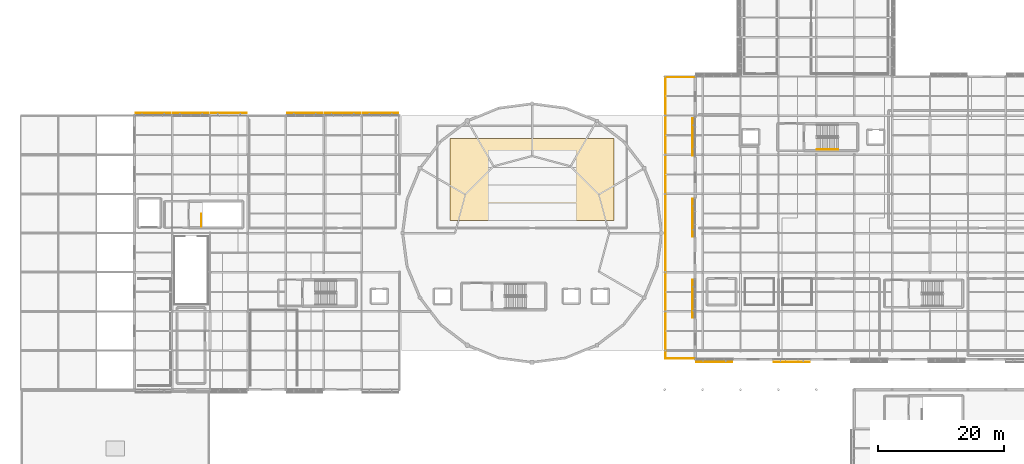
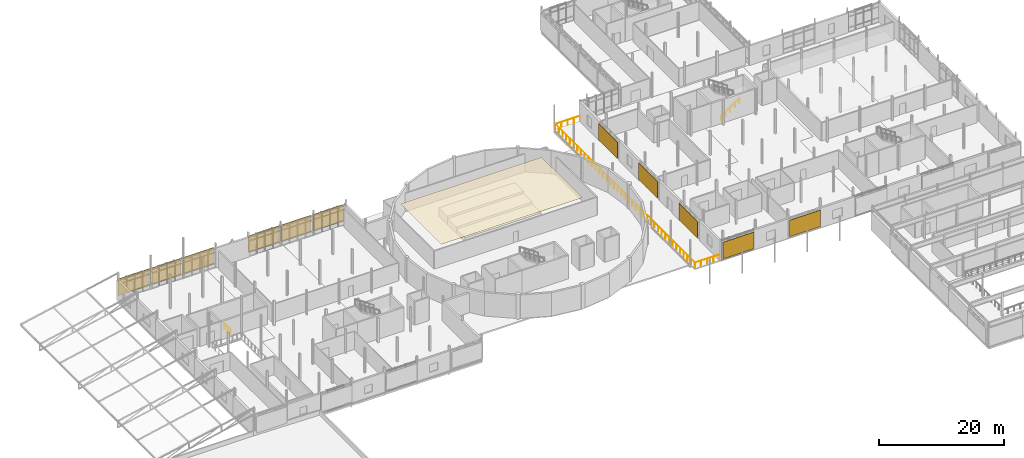
# One storey, part 78 of 84: 11 shading devices, 3 railings, 1 covering.
"""IFC4 building model written with IfcOpenShell, lengths in metres."""

from ifc_helpers import new_model, si_unit, direction, frame, origin, origin_2d, place, context, subcontext, project, spatial, polyline, rectangle, circle, outline, extrude, material, layer, layer_set, type_object, element, save


model = new_model("IFC4")

# Units and contexts
model_context = context("Model", 3, precision=1e-05, world=origin(), true_north=direction((0.0, 1.0)))
body_context = subcontext(model_context, "Body", "Model", "MODEL_VIEW")
ifc_project = project(units=[si_unit("LENGTHUNIT", "METRE"), si_unit("AREAUNIT", "SQUARE_METRE"), si_unit("VOLUMEUNIT", "CUBIC_METRE"), si_unit("PLANEANGLEUNIT", "RADIAN"), si_unit("MASSUNIT", "GRAM", prefix="KILO")], contexts=[model_context])

# Site, building, storey
site_placement = place(None, origin())
site = spatial("IfcSite", under=ifc_project, at=site_placement, CompositionType="ELEMENT")
building_placement = place(site_placement, origin())
building = spatial("IfcBuilding", under=site, at=building_placement, Name="Mirzam Square Science Centre", CompositionType="ELEMENT")
storey_placement = place(building_placement, frame((0.0, 0.0, 10.800048828125)))
storey = spatial("IfcBuildingStorey", under=building, at=storey_placement, Name="L02", CompositionType="ELEMENT", Elevation=10.800048828125)

# Covering
ifc_material_1 = material(Name="Perforated Mineral-Wool Acoustic Ceiling", Category="gypsum")
ifc_layer_1 = layer(ifc_material_1, 0.0400390625)
ifc_layer_set_1 = layer_set([ifc_layer_1], Name="COV-ACOUST-CEIL")
covering_type = type_object("IfcCoveringType", Name="COV-ACOUST-CEIL", PredefinedType="CEILING", material=ifc_layer_set_1)
covering_placement = place(storey_placement, frame((0.0, 0.0, 3.31005859375)))
element("IfcCovering", 1, at=covering_placement, inside=storey, type_object=covering_type, Name="L02 acoustic ceiling 04", PredefinedType="CEILING", context=body_context, shape_type="SweptSolid", body=[
    extrude(outline(polyline([(68.0, 64.0), (94.0, 64.0), (94.0, 77.0), (68.0, 77.0), (68.0, 64.0)])), origin(), (0.0, 0.0, 1.0), 0.039794921875),
])

# Railings
ifc_material_2 = material(Name="Bronze-Anodised Architectural Balustrade", Category="aluminium")
railing_type_1 = type_object("IfcRailingType", Name="RL-INT-GUARD-1100", PredefinedType="GUARDRAIL", material=ifc_material_2)
railing_1_placement = place(storey_placement, frame((28.6201171875, 63.0, 0.0)))
element("IfcRailing", 2, at=railing_1_placement, inside=storey, type_object=railing_type_1, Name="L02 ST-02 top well guard 1", PredefinedType="GUARDRAIL", context=body_context, shape_type="SweptSolid", body=[
    extrude(circle(Radius=0.02392578125, at=origin_2d()), frame((0.0, 0.0, 1.076171875), z_axis=(0.0, 1.0, 0.0), x_axis=(-1.0, 0.0, 0.0)), (0.0, 0.0, 1.0), 2.02001953125),
    extrude(circle(Radius=0.02099609375, at=origin_2d()), origin(), (0.0, 0.0, 1.0), 1.052001953125),
    extrude(circle(Radius=0.02099609375, at=origin_2d()), frame((0.0, 1.010009765625, 0.0)), (0.0, 0.0, 1.0), 1.052001953125),
    extrude(circle(Radius=0.02099609375, at=origin_2d()), frame((0.0, 2.02001953125, 0.0)), (0.0, 0.0, 1.0), 1.052001953125),
])
ifc_material_3 = material(Name="Brushed Bronze Tubular Handrail", Category="aluminium")
railing_type_2 = type_object("IfcRailingType", Name="RL-STAIR-HANDRAIL-900", PredefinedType="HANDRAIL", material=ifc_material_3)
railing_2_placement = place(storey_placement, frame((126.110107421875, 75.25, 0.381103515625)))
element("IfcRailing", 3, at=railing_2_placement, inside=storey, type_object=railing_type_2, Name="L02 ST-04 stair handrail 1", PredefinedType="HANDRAIL", context=body_context, shape_type="SweptSolid", body=[
    extrude(circle(Radius=0.02392578125, at=origin_2d()), frame((0.0, 0.0, 0.8759765625), z_axis=(0.83483021737, 0.0, 0.550507500554), x_axis=(0.0, 1.0, 0.0)), (0.0, 0.0, 1.0), 4.024658203125),
    extrude(circle(Radius=0.02099609375, at=origin_2d()), origin(), (0.0, 0.0, 1.0), 0.851806640625),
    extrude(circle(Radius=0.02099609375, at=origin_2d()), frame((0.83984375, 0.0, 0.553955078125)), (0.0, 0.0, 1.0), 0.851806640625),
    extrude(circle(Radius=0.02099609375, at=origin_2d()), frame((1.679931640625, 0.0, 1.10791015625)), (0.0, 0.0, 1.0), 0.851806640625),
    extrude(circle(Radius=0.02099609375, at=origin_2d()), frame((2.52001953125, 0.0, 1.66162109375)), (0.0, 0.0, 1.0), 0.851806640625),
    extrude(circle(Radius=0.02099609375, at=origin_2d()), frame((3.35986328125, 0.0, 2.215576171875)), (0.0, 0.0, 1.0), 0.851806640625),
])
railing_type_3 = type_object("IfcRailingType", Name="RL-TERR-GUARD-1100", PredefinedType="GUARDRAIL", material=ifc_material_2)
railing_3_placement = place(storey_placement, frame((106.719970703125, 42.1201171875, 0.0)))
element("IfcRailing", 4, at=railing_3_placement, inside=storey, type_object=railing_type_3, Name="L02 west courtyard terrace guard", PredefinedType="GUARDRAIL", context=body_context, shape_type="SweptSolid", body=[
    extrude(circle(Radius=0.02392578125, at=origin_2d()), frame((0.0, 0.0, 1.09619140625), z_axis=(-1.0, 0.0, 0.0), x_axis=(0.0, -1.0, 0.0)), (0.0, 0.0, 1.0), 4.599853515625),
    extrude(circle(Radius=0.02392578125, at=origin_2d()), frame((-4.599853515625, 0.0, 1.09619140625), z_axis=(0.0, 1.0, 0.0), x_axis=(-1.0, 0.0, 0.0)), (0.0, 0.0, 1.0), 44.559814453125),
    extrude(circle(Radius=0.02392578125, at=origin_2d()), frame((-4.599853515625, 44.559814453125, 1.09619140625), z_axis=(1.0, 0.0, 0.0), x_axis=(0.0, 1.0, 0.0)), (0.0, 0.0, 1.0), 4.599853515625),
    extrude(circle(Radius=0.02099609375, at=origin_2d()), origin(), (0.0, 0.0, 1.0), 1.072021484375),
    extrude(circle(Radius=0.02099609375, at=origin_2d()), frame((-1.14990234375, 0.0, 0.0)), (0.0, 0.0, 1.0), 1.072021484375),
    extrude(circle(Radius=0.02099609375, at=origin_2d()), frame((-2.2998046875, 0.0, 0.0)), (0.0, 0.0, 1.0), 1.072021484375),
    extrude(circle(Radius=0.02099609375, at=origin_2d()), frame((-3.449951171875, 0.0, 0.0)), (0.0, 0.0, 1.0), 1.072021484375),
    extrude(circle(Radius=0.02099609375, at=origin_2d()), frame((-4.599853515625, 0.0, 0.0)), (0.0, 0.0, 1.0), 1.072021484375),
    extrude(circle(Radius=0.02099609375, at=origin_2d()), frame((-4.599853515625, 1.172607421875, 0.0)), (0.0, 0.0, 1.0), 1.072021484375),
    extrude(circle(Radius=0.02099609375, at=origin_2d()), frame((-4.599853515625, 2.34521484375, 0.0)), (0.0, 0.0, 1.0), 1.072021484375),
    extrude(circle(Radius=0.02099609375, at=origin_2d()), frame((-4.599853515625, 3.517822265625, 0.0)), (0.0, 0.0, 1.0), 1.072021484375),
    extrude(circle(Radius=0.02099609375, at=origin_2d()), frame((-4.599853515625, 4.6904296875, 0.0)), (0.0, 0.0, 1.0), 1.072021484375),
    extrude(circle(Radius=0.02099609375, at=origin_2d()), frame((-4.599853515625, 5.863037109375, 0.0)), (0.0, 0.0, 1.0), 1.072021484375),
    extrude(circle(Radius=0.02099609375, at=origin_2d()), frame((-4.599853515625, 7.03564453125, 0.0)), (0.0, 0.0, 1.0), 1.072021484375),
    extrude(circle(Radius=0.02099609375, at=origin_2d()), frame((-4.599853515625, 8.20849609375, 0.0)), (0.0, 0.0, 1.0), 1.072021484375),
    extrude(circle(Radius=0.02099609375, at=origin_2d()), frame((-4.599853515625, 9.381103515625, 0.0)), (0.0, 0.0, 1.0), 1.072021484375),
    extrude(circle(Radius=0.02099609375, at=origin_2d()), frame((-4.599853515625, 10.5537109375, 0.0)), (0.0, 0.0, 1.0), 1.072021484375),
    extrude(circle(Radius=0.02099609375, at=origin_2d()), frame((-4.599853515625, 11.726318359375, 0.0)), (0.0, 0.0, 1.0), 1.072021484375),
    extrude(circle(Radius=0.02099609375, at=origin_2d()), frame((-4.599853515625, 12.89892578125, 0.0)), (0.0, 0.0, 1.0), 1.072021484375),
    extrude(circle(Radius=0.02099609375, at=origin_2d()), frame((-4.599853515625, 14.071533203125, 0.0)), (0.0, 0.0, 1.0), 1.072021484375),
    extrude(circle(Radius=0.02099609375, at=origin_2d()), frame((-4.599853515625, 15.244140625, 0.0)), (0.0, 0.0, 1.0), 1.072021484375),
    extrude(circle(Radius=0.02099609375, at=origin_2d()), frame((-4.599853515625, 16.416748046875, 0.0)), (0.0, 0.0, 1.0), 1.072021484375),
    extrude(circle(Radius=0.02099609375, at=origin_2d()), frame((-4.599853515625, 17.58935546875, 0.0)), (0.0, 0.0, 1.0), 1.072021484375),
    extrude(circle(Radius=0.02099609375, at=origin_2d()), frame((-4.599853515625, 18.761962890625, 0.0)), (0.0, 0.0, 1.0), 1.072021484375),
    extrude(circle(Radius=0.02099609375, at=origin_2d()), frame((-4.599853515625, 19.9345703125, 0.0)), (0.0, 0.0, 1.0), 1.072021484375),
    extrude(circle(Radius=0.02099609375, at=origin_2d()), frame((-4.599853515625, 21.107177734375, 0.0)), (0.0, 0.0, 1.0), 1.072021484375),
    extrude(circle(Radius=0.02099609375, at=origin_2d()), frame((-4.599853515625, 22.27978515625, 0.0)), (0.0, 0.0, 1.0), 1.072021484375),
    extrude(circle(Radius=0.02099609375, at=origin_2d()), frame((-4.599853515625, 23.45263671875, 0.0)), (0.0, 0.0, 1.0), 1.072021484375),
    extrude(circle(Radius=0.02099609375, at=origin_2d()), frame((-4.599853515625, 24.625244140625, 0.0)), (0.0, 0.0, 1.0), 1.072021484375),
    extrude(circle(Radius=0.02099609375, at=origin_2d()), frame((-4.599853515625, 25.7978515625, 0.0)), (0.0, 0.0, 1.0), 1.072021484375),
    extrude(circle(Radius=0.02099609375, at=origin_2d()), frame((-4.599853515625, 26.970458984375, 0.0)), (0.0, 0.0, 1.0), 1.072021484375),
    extrude(circle(Radius=0.02099609375, at=origin_2d()), frame((-4.599853515625, 28.14306640625, 0.0)), (0.0, 0.0, 1.0), 1.072021484375),
    extrude(circle(Radius=0.02099609375, at=origin_2d()), frame((-4.599853515625, 29.315673828125, 0.0)), (0.0, 0.0, 1.0), 1.072021484375),
    extrude(circle(Radius=0.02099609375, at=origin_2d()), frame((-4.599853515625, 30.48828125, 0.0)), (0.0, 0.0, 1.0), 1.072021484375),
    extrude(circle(Radius=0.02099609375, at=origin_2d()), frame((-4.599853515625, 31.660888671875, 0.0)), (0.0, 0.0, 1.0), 1.072021484375),
    extrude(circle(Radius=0.02099609375, at=origin_2d()), frame((-4.599853515625, 32.83349609375, 0.0)), (0.0, 0.0, 1.0), 1.072021484375),
    extrude(circle(Radius=0.02099609375, at=origin_2d()), frame((-4.599853515625, 34.006103515625, 0.0)), (0.0, 0.0, 1.0), 1.072021484375),
    extrude(circle(Radius=0.02099609375, at=origin_2d()), frame((-4.599853515625, 35.1787109375, 0.0)), (0.0, 0.0, 1.0), 1.072021484375),
    extrude(circle(Radius=0.02099609375, at=origin_2d()), frame((-4.599853515625, 36.351318359375, 0.0)), (0.0, 0.0, 1.0), 1.072021484375),
    extrude(circle(Radius=0.02099609375, at=origin_2d()), frame((-4.599853515625, 37.524169921875, 0.0)), (0.0, 0.0, 1.0), 1.072021484375),
    extrude(circle(Radius=0.02099609375, at=origin_2d()), frame((-4.599853515625, 38.69677734375, 0.0)), (0.0, 0.0, 1.0), 1.072021484375),
    extrude(circle(Radius=0.02099609375, at=origin_2d()), frame((-4.599853515625, 39.869384765625, 0.0)), (0.0, 0.0, 1.0), 1.072021484375),
    extrude(circle(Radius=0.02099609375, at=origin_2d()), frame((-4.599853515625, 41.0419921875, 0.0)), (0.0, 0.0, 1.0), 1.072021484375),
    extrude(circle(Radius=0.02099609375, at=origin_2d()), frame((-4.599853515625, 42.214599609375, 0.0)), (0.0, 0.0, 1.0), 1.072021484375),
    extrude(circle(Radius=0.02099609375, at=origin_2d()), frame((-4.599853515625, 43.38720703125, 0.0)), (0.0, 0.0, 1.0), 1.072021484375),
    extrude(circle(Radius=0.02099609375, at=origin_2d()), frame((-4.599853515625, 44.559814453125, 0.0)), (0.0, 0.0, 1.0), 1.072021484375),
    extrude(circle(Radius=0.02099609375, at=origin_2d()), frame((-3.449951171875, 44.559814453125, 0.0)), (0.0, 0.0, 1.0), 1.072021484375),
    extrude(circle(Radius=0.02099609375, at=origin_2d()), frame((-2.2998046875, 44.559814453125, 0.0)), (0.0, 0.0, 1.0), 1.072021484375),
    extrude(circle(Radius=0.02099609375, at=origin_2d()), frame((-1.14990234375, 44.559814453125, 0.0)), (0.0, 0.0, 1.0), 1.072021484375),
    extrude(circle(Radius=0.02099609375, at=origin_2d()), frame((0.0, 44.559814453125, 0.0)), (0.0, 0.0, 1.0), 1.072021484375),
])

# Shading devices
ifc_material_4 = material(Name="Perforated Bronze-Anodised Aluminium Brise-Soleil", Category="aluminium")
ifc_layer_2 = layer(ifc_material_4, 0.080078125)
ifc_layer_set_2 = layer_set([ifc_layer_2], Name="SHD-BRISE-BRONZE")
shading_device_type = type_object("IfcShadingDeviceType", Name="SHD-BRISE-BRONZE", PredefinedType="JALOUSIE", material=ifc_layer_set_2)
for number, where, z_axis, x_axis, name in (
    (5, (21.0, 81.010009765625, 0.48974609375), (0.0, 0.0, 1.0), (-1.0, 0.0, 0.0), "L02 bronze brise-soleil screen 19"),
    (6, (27.0, 81.010009765625, 0.48974609375), (0.0, 0.0, 1.0), (-1.0, 0.0, 0.0), "L02 bronze brise-soleil screen 20"),
    (7, (33.0, 81.010009765625, 0.48974609375), (0.0, 0.0, 1.0), (-1.0, 0.0, 0.0), "L02 bronze brise-soleil screen 21"),
    (8, (45.0, 81.010009765625, 0.48974609375), (0.0, 0.0, 1.0), (-1.0, 0.0, 0.0), "L02 bronze brise-soleil screen 22"),
    (9, (51.0, 81.010009765625, 0.48974609375), (0.0, 0.0, 1.0), (-1.0, 0.0, 0.0), "L02 bronze brise-soleil screen 23"),
    (10, (57.0, 81.010009765625, 0.48974609375), (0.0, 0.0, 1.0), (-1.0, 0.0, 0.0), "L02 bronze brise-soleil screen 24"),
):
    element("IfcShadingDevice", number, at=place(storey_placement, frame(where, z_axis=z_axis, x_axis=x_axis)), inside=storey, type_object=shading_device_type, Name=name, PredefinedType="JALOUSIE", context=body_context, shape_type="SweptSolid", body=[
        extrude(rectangle(XDim=5.590087890625, YDim=0.080078125, at=origin_2d()), origin(), (0.0, 0.0, 1.0), 3.199951171875),
    ])
for number, where, z_axis, x_axis, name in (
    (11, (109.86669921875, 41.590087890625, 0.48974609375), (0.0, 0.0, 1.0), (1.0, 0.0, 0.0), "L02 bronze brise-soleil screen 90"),
    (12, (122.13330078125, 41.590087890625, 0.48974609375), (0.0, 0.0, 1.0), (1.0, 0.0, 0.0), "L02 bronze brise-soleil screen 91"),
):
    element("IfcShadingDevice", number, at=place(storey_placement, frame(where, z_axis=z_axis, x_axis=x_axis)), inside=storey, type_object=shading_device_type, Name=name, PredefinedType="JALOUSIE", context=body_context, shape_type="SweptSolid", body=[
        extrude(rectangle(XDim=5.723388671875, YDim=0.080078125, at=origin_2d()), origin(), (0.0, 0.0, 1.0), 3.199951171875),
    ])
for number, where, z_axis, x_axis, name in (
    (13, (106.389892578125, 77.199951171875, 0.48974609375), (0.0, 0.0, 1.0), (0.0, -1.0, 0.0), "L02 bronze brise-soleil screen 100"),
    (14, (106.389892578125, 64.39990234375, 0.48974609375), (0.0, 0.0, 1.0), (0.0, -1.0, 0.0), "L02 bronze brise-soleil screen 101"),
    (15, (106.389892578125, 51.60009765625, 0.48974609375), (0.0, 0.0, 1.0), (0.0, -1.0, 0.0), "L02 bronze brise-soleil screen 102"),
):
    element("IfcShadingDevice", number, at=place(storey_placement, frame(where, z_axis=z_axis, x_axis=x_axis)), inside=storey, type_object=shading_device_type, Name=name, PredefinedType="JALOUSIE", context=body_context, shape_type="SweptSolid", body=[
        extrude(rectangle(XDim=5.989990234375, YDim=0.080078125, at=origin_2d()), origin(), (0.0, 0.0, 1.0), 3.199951171875),
    ])

save(model, "model.ifc")
